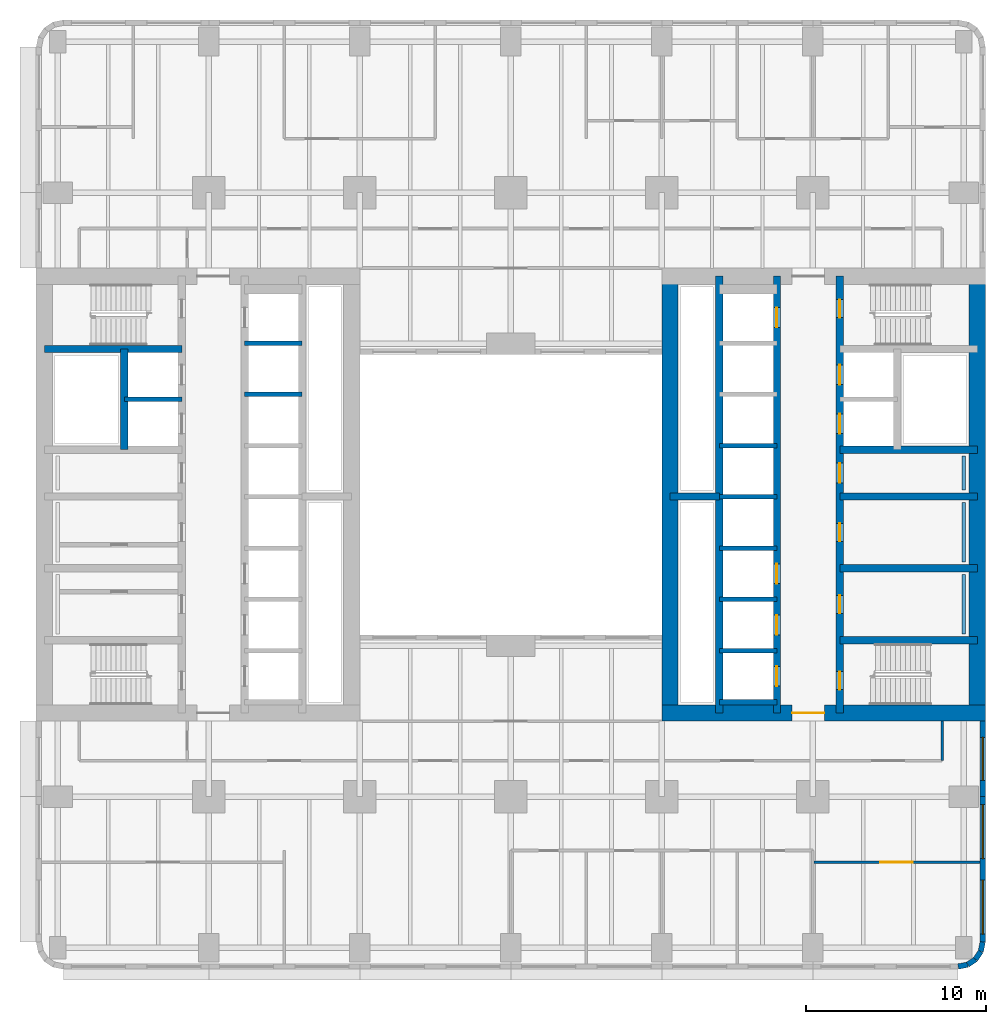
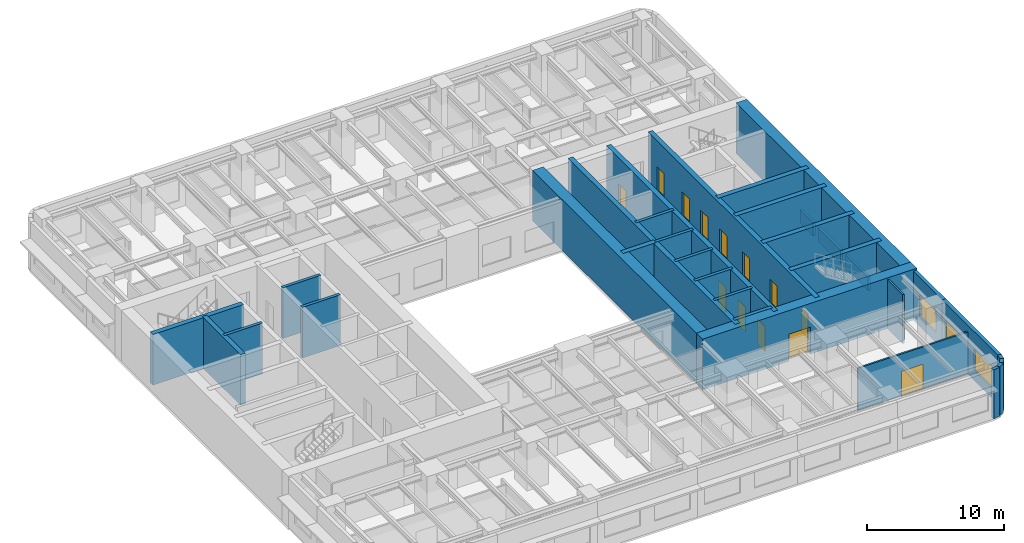
# One storey, part 5 of 14: 33 walls, 13 doors, 3 windows, 16 openings.
"""IFC4 building model written with IfcOpenShell, lengths in metres."""

from ifc_helpers import new_model, si_unit, direction, frame, frame_2d, origin, place, context, subcontext, project, spatial, rectangle, extrude, material, layer, layer_set, type_object, element, fill, save


model = new_model("IFC4")

# Units and contexts
model_context = context("Model", 3, precision=1e-05, world=origin(), true_north=direction((0.0, 1.0)))
body_context = subcontext(model_context, "Body", "Model", "MODEL_VIEW")
ifc_project = project(units=[si_unit("LENGTHUNIT", "METRE"), si_unit("AREAUNIT", "SQUARE_METRE"), si_unit("VOLUMEUNIT", "CUBIC_METRE"), si_unit("PLANEANGLEUNIT", "RADIAN"), si_unit("MASSUNIT", "GRAM", prefix="KILO")], contexts=[model_context])

# Site, building, storey
site_placement = place(None, origin())
site = spatial("IfcSite", under=ifc_project, at=site_placement, CompositionType="ELEMENT")
building_placement = place(site_placement, origin())
building = spatial("IfcBuilding", under=site, at=building_placement, Name="Claustro Exchange Tower", CompositionType="ELEMENT")
storey_placement = place(building_placement, frame((0.0, 0.0, 32.39990234375)))
storey = spatial("IfcBuildingStorey", under=building, at=storey_placement, Name="L07", CompositionType="ELEMENT", Elevation=32.39990234375)

# Wall, opening, door
ifc_material_1 = material(Name="Gypsum board on steel studs", Category="steel")
ifc_layer_1 = layer(ifc_material_1, 0.14990234375)
ifc_layer_set_1 = layer_set([ifc_layer_1], Name="Gypsum board on steel studs")
wall_type_1 = type_object("IfcWallType", Name="P1 150 plasterboard partition", PredefinedType="PARTITIONING", material=ifc_layer_set_1)
wall_1_placement = place(storey_placement, frame((42.073974609375, 4.75, 0.0), z_axis=(0.0, 0.0, 1.0), x_axis=(1.0, 0.0, 0.0)))
wall_1 = element("IfcWall", 1, at=wall_1_placement, inside=storey, type_object=wall_type_1, Name="Partition P1 L07", PredefinedType="PARTITIONING", context=body_context, shape_type="SweptSolid", body=[
    extrude(rectangle(XDim=9.22802734375, YDim=0.14990234375, at=frame_2d((4.614013671875, 0.0))), origin(), (0.0, 0.0, 1.0), 3.739990234375),
])
opening_1_placement = place(wall_1_placement, frame((3.676025390625, 0.0, 0.0)))
opening_1 = element("IfcOpeningElement", 2, at=opening_1_placement, cuts=wall_1, Name="Opening D2", PredefinedType="OPENING", context=body_context, shape_type="SweptSolid", body=[
    extrude(rectangle(XDim=1.800048828125, YDim=2.199951171875, at=frame_2d((0.89990234375, 1.10009765625))), frame((0.0, 0.0849609375, 0.0), z_axis=(0.0, -1.0, 0.0), x_axis=(1.0, 0.0, 0.0)), (0.0, 0.0, 1.0), 0.169921875),
])
ifc_material_2 = material(Name="Timber door, oak veneer", Category="wood")
door_type_1 = type_object("IfcDoorType", Name="D2 1800 x 2200 double door", OperationType="DOUBLE_DOOR_SINGLE_SWING", PredefinedType="DOOR", material=ifc_material_2)
door_1_placement = place(opening_1_placement, frame((1.800048828125, 0.0, 0.0), z_axis=(0.0, 0.0, 1.0), x_axis=(-1.0, 0.0, 0.0)))
door_1 = element("IfcDoor", 3, at=door_1_placement, inside=storey, type_object=door_type_1, Name="Double door D2 L07", OperationType="DOUBLE_DOOR_SINGLE_SWING", OverallHeight=2.199951171875, OverallWidth=1.800048828125, PredefinedType="DOOR", context=body_context, shape_type="SweptSolid", body=[
    extrude(rectangle(XDim=1.800048828125, YDim=2.199951171875, at=frame_2d((0.89990234375, 1.10009765625))), frame((0.0, 0.02490234375, 0.0), z_axis=(0.0, -1.0, 0.0), x_axis=(1.0, 0.0, 0.0)), (0.0, 0.0, 1.0), 0.050048828125),
])
fill(opening_1, door_1)

# Wall
wall_2_placement = place(storey_placement, frame((49.199951171875, 10.39990234375, 0.0), z_axis=(0.0, 0.0, 1.0), x_axis=(0.0, 1.0, 0.0)))
element("IfcWall", 4, at=wall_2_placement, inside=storey, type_object=wall_type_1, Name="Partition P1 L07", PredefinedType="PARTITIONING", context=body_context, shape_type="SweptSolid", body=[
    extrude(rectangle(XDim=2.2021484375, YDim=0.14990234375, at=frame_2d((1.10107421875, 0.0))), origin(), (0.0, 0.0, 1.0), 4.340087890625),
])

# Wall, opening, window
ifc_material_3 = material(Name="Concrete HA-40 (C40/50), precast, white cement, acid-etched", Category="concrete")
ifc_layer_2 = layer(ifc_material_3, 0.300048828125)
ifc_layer_set_2 = layer_set([ifc_layer_2], Name="Concrete HA-40 (C40/50), precast, white cement, acid-etched")
wall_type_2 = type_object("IfcWallType", Name="PC1 300 precast concrete pier panel", PredefinedType="SOLIDWALL", material=ifc_layer_set_2)
wall_3_placement = place(storey_placement, frame((51.449951171875, 12.60009765625, 0.0), z_axis=(0.0, 0.0, 1.0), x_axis=(0.0, -1.0, 0.0)))
wall_3 = element("IfcWall", 5, at=wall_3_placement, inside=storey, type_object=wall_type_2, Name="Precast pier panel PC1 L07", PredefinedType="SOLIDWALL", context=body_context, shape_type="SweptSolid", body=[
    extrude(rectangle(XDim=4.2001953125, YDim=0.300048828125, at=frame_2d((2.10009765625, 0.0))), origin(), (0.0, 0.0, 1.0), 4.340087890625),
])
opening_2_placement = place(wall_3_placement, frame((0.89990234375, 0.0, 0.89990234375)))
opening_2 = element("IfcOpeningElement", 6, at=opening_2_placement, cuts=wall_3, Name="Opening W2", PredefinedType="OPENING", context=body_context, shape_type="SweptSolid", body=[
    extrude(rectangle(XDim=2.39990234375, YDim=1.89990234375, at=frame_2d((1.199951171875, 0.949951171875))), frame((0.0, 0.159912109375, 0.0), z_axis=(0.0, -1.0, 0.0), x_axis=(1.0, 0.0, 0.0)), (0.0, 0.0, 1.0), 0.320068359375),
])
ifc_material_4 = material(Name="Aluminium frame, clear double glazing", Category="aluminium")
window_type_1 = type_object("IfcWindowType", Name="W2 2400 x 1900 window", PartitioningType="SINGLE_PANEL", PredefinedType="WINDOW", material=ifc_material_4)
window_1_placement = place(opening_2_placement, origin())
window_1 = element("IfcWindow", 7, at=window_1_placement, inside=storey, type_object=window_type_1, Name="Window W2 L07", OverallHeight=1.89990234375, OverallWidth=2.39990234375, PartitioningType="SINGLE_PANEL", PredefinedType="WINDOW", context=body_context, shape_type="SweptSolid", body=[
    extrude(rectangle(XDim=2.39990234375, YDim=1.89990234375, at=frame_2d((1.199951171875, 0.949951171875))), frame((0.0, 0.030029296875, 0.0), z_axis=(0.0, -1.0, 0.0), x_axis=(1.0, 0.0, 0.0)), (0.0, 0.0, 1.0), 0.06005859375),
])
fill(opening_2, window_1)

# Wall, openings, windows
wall_4_placement = place(storey_placement, frame((51.449951171875, 8.39990234375, 0.0), z_axis=(0.0, 0.0, 1.0), x_axis=(0.0, -1.0, 0.0)))
wall_4 = element("IfcWall", 8, at=wall_4_placement, inside=storey, type_object=wall_type_2, Name="Precast pier panel PC1 L07", PredefinedType="SOLIDWALL", context=body_context, shape_type="SweptSolid", body=[
    extrude(rectangle(XDim=8.085205078125, YDim=0.300048828125, at=frame_2d((4.04248046875, 0.0))), origin(), (0.0, 0.0, 1.0), 4.340087890625),
])
opening_3_placement = place(wall_4_placement, frame((0.442626953125, 0.0, 0.89990234375)))
opening_3 = element("IfcOpeningElement", 9, at=opening_3_placement, cuts=wall_4, Name="Opening W1", PredefinedType="OPENING", context=body_context, shape_type="SweptSolid", body=[
    extrude(rectangle(XDim=3.0, YDim=1.89990234375, at=frame_2d((1.5, 0.949951171875))), frame((0.0, 0.159912109375, 0.0), z_axis=(0.0, -1.0, 0.0), x_axis=(1.0, 0.0, 0.0)), (0.0, 0.0, 1.0), 0.320068359375),
])
opening_4_placement = place(wall_4_placement, frame((4.642578125, 0.0, 0.89990234375)))
opening_4 = element("IfcOpeningElement", 10, at=opening_4_placement, cuts=wall_4, Name="Opening W1", PredefinedType="OPENING", context=body_context, shape_type="SweptSolid", body=[
    extrude(rectangle(XDim=3.0, YDim=1.89990234375, at=frame_2d((1.5, 0.949951171875))), frame((0.0, 0.159912109375, 0.0), z_axis=(0.0, -1.0, 0.0), x_axis=(1.0, 0.0, 0.0)), (0.0, 0.0, 1.0), 0.320068359375),
])
ifc_material_5 = material(Name="Aluminium frame, clear double glazing", Category="aluminium")
window_type_2 = type_object("IfcWindowType", Name="W1 3000 x 1900 window", PartitioningType="SINGLE_PANEL", PredefinedType="WINDOW", material=ifc_material_5)
window_2_placement = place(opening_3_placement, origin())
window_2 = element("IfcWindow", 11, at=window_2_placement, inside=storey, type_object=window_type_2, Name="Window W1 L07", OverallHeight=1.89990234375, OverallWidth=3.0, PartitioningType="SINGLE_PANEL", PredefinedType="WINDOW", context=body_context, shape_type="SweptSolid", body=[
    extrude(rectangle(XDim=3.0, YDim=1.89990234375, at=frame_2d((1.5, 0.949951171875))), frame((0.0, 0.030029296875, 0.0), z_axis=(0.0, -1.0, 0.0), x_axis=(1.0, 0.0, 0.0)), (0.0, 0.0, 1.0), 0.06005859375),
])
fill(opening_3, window_2)
window_3_placement = place(opening_4_placement, origin())
window_3 = element("IfcWindow", 12, at=window_3_placement, inside=storey, type_object=window_type_2, Name="Window W1 L07", OverallHeight=1.89990234375, OverallWidth=3.0, PartitioningType="SINGLE_PANEL", PredefinedType="WINDOW", context=body_context, shape_type="SweptSolid", body=[
    extrude(rectangle(XDim=3.0, YDim=1.89990234375, at=frame_2d((1.5, 0.949951171875))), frame((0.0, 0.030029296875, 0.0), z_axis=(0.0, -1.0, 0.0), x_axis=(1.0, 0.0, 0.0)), (0.0, 0.0, 1.0), 0.06005859375),
])
fill(opening_4, window_3)

# Walls
wall_5_placement = place(storey_placement, frame((51.449951171875, 0.314697265625, 0.0), z_axis=(0.0, 0.0, 1.0), x_axis=(-0.195073962632, -0.980788534345, 0.0)))
element("IfcWall", 13, at=wall_5_placement, inside=storey, type_object=wall_type_2, Name="Precast pier panel PC1 L07", PredefinedType="SOLIDWALL", context=body_context, shape_type="SweptSolid", body=[
    extrude(rectangle(XDim=0.540771484375, YDim=0.300048828125, at=frame_2d((0.2705078125, 0.0))), origin(), (0.0, 0.0, 1.0), 4.340087890625),
])
for number, where, z_axis, x_axis, name in (
    (14, (51.344482421875, -0.215576171875, 0.0), (0.0, 0.0, 1.0), (-0.555557463938, -0.831478144188, 0.0), "Precast pier panel PC1 L07"),
    (15, (51.052490234375, -0.652587890625, 0.0), (0.0, 0.0, 1.0), (-0.831478144188, -0.555557463938, 0.0), "Precast pier panel PC1 L07"),
):
    element("IfcWall", number, at=place(storey_placement, frame(where, z_axis=z_axis, x_axis=x_axis)), inside=storey, type_object=wall_type_2, Name=name, PredefinedType="SOLIDWALL", context=body_context, shape_type="SweptSolid", body=[
        extrude(rectangle(XDim=0.525634765625, YDim=0.300048828125, at=frame_2d((0.2626953125, 0.0))), origin(), (0.0, 0.0, 1.0), 4.340087890625),
    ])
wall_6_placement = place(storey_placement, frame((50.615478515625, -0.944580078125, 0.0), z_axis=(0.0, 0.0, 1.0), x_axis=(-0.980788534345, -0.195073962632, 0.0)))
element("IfcWall", 16, at=wall_6_placement, inside=storey, type_object=wall_type_2, Name="Precast pier panel PC1 L07", PredefinedType="SOLIDWALL", context=body_context, shape_type="SweptSolid", body=[
    extrude(rectangle(XDim=0.540771484375, YDim=0.300048828125, at=frame_2d((0.2705078125, 0.0))), origin(), (0.0, 0.0, 1.0), 4.340087890625),
])
ifc_material_6 = material(Name="Gypsum board on steel studs, tiled", Category="steel")
ifc_layer_3 = layer(ifc_material_6, 0.199951171875)
ifc_layer_set_3 = layer_set([ifc_layer_3], Name="Gypsum board on steel studs, tiled")
wall_type_3 = type_object("IfcWallType", Name="PW1 200 WC duct wall", PredefinedType="PLUMBINGWALL", material=ifc_layer_set_3)
for number, where, z_axis, x_axis, name in (
    (17, (50.39990234375, 17.449951171875, 0.0), (0.0, 0.0, 1.0), (0.0, 1.0, 0.0), "WC duct wall PW1 L07"),
    (18, (50.39990234375, 21.449951171875, 0.0), (0.0, 0.0, 1.0), (0.0, 1.0, 0.0), "WC duct wall PW1 L07"),
):
    element("IfcWall", number, at=place(storey_placement, frame(where, z_axis=z_axis, x_axis=x_axis)), inside=storey, type_object=wall_type_3, Name=name, PredefinedType="PLUMBINGWALL", context=body_context, shape_type="SweptSolid", body=[
        extrude(rectangle(XDim=3.300048828125, YDim=0.199951171875, at=frame_2d((1.64990234375, 0.0))), origin(), (0.0, 0.0, 1.0), 1.2001953125),
    ])
wall_7_placement = place(storey_placement, frame((50.39990234375, 25.449951171875, 0.0), z_axis=(0.0, 0.0, 1.0), x_axis=(0.0, 1.0, 0.0)))
element("IfcWall", 19, at=wall_7_placement, inside=storey, type_object=wall_type_3, Name="WC duct wall PW1 L07", PredefinedType="PLUMBINGWALL", context=body_context, shape_type="SweptSolid", body=[
    extrude(rectangle(XDim=1.900146484375, YDim=0.199951171875, at=frame_2d((0.9501953125, 0.0))), origin(), (0.0, 0.0, 1.0), 1.2001953125),
])

# Wall, opening, door
ifc_material_7 = material(Name="Concrete HA-70 (C70/85)", Category="concrete")
ifc_layer_4 = layer(ifc_material_7, 0.89990234375)
ifc_layer_set_4 = layer_set([ifc_layer_4], Name="Concrete HA-70 (C70/85)")
wall_type_4 = type_object("IfcWallType", Name="SW1 900 core shear wall", PredefinedType="SHEAR", material=ifc_layer_set_4)
wall_8_placement = place(storey_placement, frame((33.60009765625, 13.050048828125, 0.0), z_axis=(0.0, 0.0, 1.0), x_axis=(1.0, 0.0, 0.0)))
wall_8 = element("IfcWall", 20, at=wall_8_placement, inside=storey, type_object=wall_type_4, Name="Core wall SW1 E core S face L07", PredefinedType="SHEAR", context=body_context, shape_type="SweptSolid", body=[
    extrude(rectangle(XDim=18.0, YDim=0.89990234375, at=frame_2d((9.0, 0.0))), origin(), (0.0, 0.0, 1.0), 4.5),
])
opening_5_placement = place(wall_8_placement, frame((7.25, 0.0, 0.0)))
opening_5 = element("IfcOpeningElement", 21, at=opening_5_placement, cuts=wall_8, Name="Opening D3", PredefinedType="OPENING", context=body_context, shape_type="SweptSolid", body=[
    extrude(rectangle(XDim=1.800048828125, YDim=2.39990234375, at=frame_2d((0.89990234375, 1.199951171875))), frame((0.0, 0.4599609375, 0.0), z_axis=(0.0, -1.0, 0.0), x_axis=(1.0, 0.0, 0.0)), (0.0, 0.0, 1.0), 0.919921875),
])
ifc_material_8 = material(Name="Steel fire door, painted", Category="steel")
door_type_2 = type_object("IfcDoorType", Name="D3 1800 x 2400 fire-rated lobby double door", OperationType="DOUBLE_DOOR_SINGLE_SWING", PredefinedType="DOOR", material=ifc_material_8)
door_2_placement = place(opening_5_placement, origin())
door_2 = element("IfcDoor", 22, at=door_2_placement, inside=storey, type_object=door_type_2, Name="Lift lobby door D3 L07", OperationType="DOUBLE_DOOR_SINGLE_SWING", OverallHeight=2.39990234375, OverallWidth=1.800048828125, PredefinedType="DOOR", context=body_context, shape_type="SweptSolid", body=[
    extrude(rectangle(XDim=1.800048828125, YDim=2.39990234375, at=frame_2d((0.89990234375, 1.199951171875))), frame((0.0, 0.02490234375, 0.0), z_axis=(0.0, -1.0, 0.0), x_axis=(1.0, 0.0, 0.0)), (0.0, 0.0, 1.0), 0.050048828125),
])
fill(opening_5, door_2)

# Walls
ifc_material_9 = material(Name="Concrete HA-70 (C70/85)", Category="concrete")
ifc_layer_5 = layer(ifc_material_9, 0.89990234375)
ifc_layer_set_5 = layer_set([ifc_layer_5], Name="Concrete HA-70 (C70/85)")
wall_type_5 = type_object("IfcWallType", Name="SW1X 900 exposed core shear wall, board-marked face", PredefinedType="SHEAR", material=ifc_layer_set_5)
for number, where, z_axis, x_axis, name in (
    (23, (34.050048828125, 13.050048828125, 0.0), (0.0, 0.0, 1.0), (0.0, 1.0, 0.0), "Core wall SW1X E core W face L07"),
    (24, (51.14990234375, 13.050048828125, 0.0), (0.0, 0.0, 1.0), (0.0, 1.0, 0.0), "Core wall SW1X E core E face L07"),
):
    element("IfcWall", number, at=place(storey_placement, frame(where, z_axis=z_axis, x_axis=x_axis)), inside=storey, type_object=wall_type_5, Name=name, PredefinedType="SHEAR", context=body_context, shape_type="SweptSolid", body=[
        extrude(rectangle(XDim=24.300048828125, YDim=0.89990234375, at=frame_2d((12.14990234375, 0.0))), origin(), (0.0, 0.0, 1.0), 4.5),
    ])
ifc_material_10 = material(Name="Concrete HA-50 (C50/60)", Category="concrete")
ifc_layer_6 = layer(ifc_material_10, 0.39990234375)
ifc_layer_set_6 = layer_set([ifc_layer_6], Name="Concrete HA-50 (C50/60)")
wall_type_6 = type_object("IfcWallType", Name="SW4 400 internal core wall", PredefinedType="SHEAR", material=ifc_layer_set_6)
wall_9_placement = place(storey_placement, frame((-0.75, 33.300048828125, 0.0), z_axis=(0.0, 0.0, 1.0), x_axis=(1.0, 0.0, 0.0)))
element("IfcWall", 25, at=wall_9_placement, inside=storey, type_object=wall_type_6, Name="Internal core wall SW4 W core L07", PredefinedType="SHEAR", context=body_context, shape_type="SweptSolid", body=[
    extrude(rectangle(XDim=7.64990234375, YDim=0.39990234375, at=frame_2d((3.824951171875, 0.0))), origin(), (0.0, 0.0, 1.0), 4.5),
])
wall_10_placement = place(storey_placement, frame((3.699951171875, 27.699951171875, 0.0), z_axis=(0.0, 0.0, 1.0), x_axis=(0.0, 1.0, 0.0)))
element("IfcWall", 26, at=wall_10_placement, inside=storey, type_object=wall_type_6, Name="Internal core wall SW4 W core L07", PredefinedType="SHEAR", context=body_context, shape_type="SweptSolid", body=[
    extrude(rectangle(XDim=5.60009765625, YDim=0.39990234375, at=frame_2d((2.800048828125, 0.0))), origin(), (0.0, 0.0, 1.0), 4.5),
])

# Wall, openings, doors
wall_11_placement = place(storey_placement, frame((43.5, 13.050048828125, 0.0), z_axis=(0.0, 0.0, 1.0), x_axis=(0.0, 1.0, 0.0)))
wall_11 = element("IfcWall", 27, at=wall_11_placement, inside=storey, type_object=wall_type_6, Name="Internal core wall SW4 E core L07", PredefinedType="SHEAR", context=body_context, shape_type="SweptSolid", body=[
    extrude(rectangle(XDim=24.300048828125, YDim=0.39990234375, at=frame_2d((12.14990234375, 0.0))), origin(), (0.0, 0.0, 1.0), 4.5),
])
opening_6_placement = place(wall_11_placement, frame((1.300048828125, 0.0, 0.0)))
opening_6 = element("IfcOpeningElement", 28, at=opening_6_placement, cuts=wall_11, Name="Opening D4", PredefinedType="OPENING", context=body_context, shape_type="SweptSolid", body=[
    extrude(rectangle(XDim=1.0, YDim=2.199951171875, at=frame_2d((0.5, 1.10009765625))), frame((0.0, 0.2099609375, 0.0), z_axis=(0.0, -1.0, 0.0), x_axis=(1.0, 0.0, 0.0)), (0.0, 0.0, 1.0), 0.419921875),
])
opening_7_placement = place(wall_11_placement, frame((22.0, 0.0, 0.0)))
opening_7 = element("IfcOpeningElement", 29, at=opening_7_placement, cuts=wall_11, Name="Opening D4", PredefinedType="OPENING", context=body_context, shape_type="SweptSolid", body=[
    extrude(rectangle(XDim=1.0, YDim=2.199951171875, at=frame_2d((0.5, 1.10009765625))), frame((0.0, 0.2099609375, 0.0), z_axis=(0.0, -1.0, 0.0), x_axis=(1.0, 0.0, 0.0)), (0.0, 0.0, 1.0), 0.419921875),
])
opening_8_placement = place(wall_11_placement, frame((5.550048828125, 0.0, 0.0)))
opening_8 = element("IfcOpeningElement", 30, at=opening_8_placement, cuts=wall_11, Name="Opening D1", PredefinedType="OPENING", context=body_context, shape_type="SweptSolid", body=[
    extrude(rectangle(XDim=1.0, YDim=2.199951171875, at=frame_2d((0.5, 1.10009765625))), frame((0.0, 0.2099609375, 0.0), z_axis=(0.0, -1.0, 0.0), x_axis=(1.0, 0.0, 0.0)), (0.0, 0.0, 1.0), 0.419921875),
])
opening_9_placement = place(wall_11_placement, frame((9.550048828125, 0.0, 0.0)))
opening_9 = element("IfcOpeningElement", 31, at=opening_9_placement, cuts=wall_11, Name="Opening D1", PredefinedType="OPENING", context=body_context, shape_type="SweptSolid", body=[
    extrude(rectangle(XDim=1.0, YDim=2.199951171875, at=frame_2d((0.5, 1.10009765625))), frame((0.0, 0.2099609375, 0.0), z_axis=(0.0, -1.0, 0.0), x_axis=(1.0, 0.0, 0.0)), (0.0, 0.0, 1.0), 0.419921875),
])
opening_10_placement = place(wall_11_placement, frame((12.800048828125, 0.0, 0.0)))
opening_10 = element("IfcOpeningElement", 32, at=opening_10_placement, cuts=wall_11, Name="Opening D10", PredefinedType="OPENING", context=body_context, shape_type="SweptSolid", body=[
    extrude(rectangle(XDim=1.10009765625, YDim=2.199951171875, at=frame_2d((0.550048828125, 1.10009765625))), frame((0.0, 0.2099609375, 0.0), z_axis=(0.0, -1.0, 0.0), x_axis=(1.0, 0.0, 0.0)), (0.0, 0.0, 1.0), 0.419921875),
])
opening_11_placement = place(wall_11_placement, frame((15.53759765625, 0.0, 0.0)))
opening_11 = element("IfcOpeningElement", 33, at=opening_11_placement, cuts=wall_11, Name="Opening LD", PredefinedType="OPENING", context=body_context, shape_type="SweptSolid", body=[
    extrude(rectangle(XDim=1.10009765625, YDim=2.199951171875, at=frame_2d((0.550048828125, 1.10009765625))), frame((0.0, 0.2099609375, 0.0), z_axis=(0.0, -1.0, 0.0), x_axis=(1.0, 0.0, 0.0)), (0.0, 0.0, 1.0), 0.419921875),
])
opening_12_placement = place(wall_11_placement, frame((18.262451171875, 0.0, 0.0)))
opening_12 = element("IfcOpeningElement", 34, at=opening_12_placement, cuts=wall_11, Name="Opening LD", PredefinedType="OPENING", context=body_context, shape_type="SweptSolid", body=[
    extrude(rectangle(XDim=1.10009765625, YDim=2.199951171875, at=frame_2d((0.550048828125, 1.10009765625))), frame((0.0, 0.2099609375, 0.0), z_axis=(0.0, -1.0, 0.0), x_axis=(1.0, 0.0, 0.0)), (0.0, 0.0, 1.0), 0.419921875),
])
ifc_material_11 = material(Name="Timber door, oak veneer", Category="wood")
door_type_3 = type_object("IfcDoorType", Name="D1 1000 x 2200 single door", OperationType="SINGLE_SWING_LEFT", PredefinedType="DOOR", material=ifc_material_11)
door_3_placement = place(opening_8_placement, frame((1.0, 0.0, 0.0), z_axis=(0.0, 0.0, 1.0), x_axis=(-1.0, 0.0, 0.0)))
door_3 = element("IfcDoor", 35, at=door_3_placement, inside=storey, type_object=door_type_3, Name="Door D1 L07", OperationType="SINGLE_SWING_LEFT", OverallHeight=2.199951171875, OverallWidth=1.0, PredefinedType="DOOR", context=body_context, shape_type="SweptSolid", body=[
    extrude(rectangle(XDim=1.0, YDim=2.199951171875, at=frame_2d((0.5, 1.10009765625))), frame((0.0, 0.02490234375, 0.0), z_axis=(0.0, -1.0, 0.0), x_axis=(1.0, 0.0, 0.0)), (0.0, 0.0, 1.0), 0.050048828125),
])
fill(opening_8, door_3)
door_4_placement = place(opening_9_placement, frame((1.0, 0.0, 0.0), z_axis=(0.0, 0.0, 1.0), x_axis=(-1.0, 0.0, 0.0)))
door_4 = element("IfcDoor", 36, at=door_4_placement, inside=storey, type_object=door_type_3, Name="Door D1 L07", OperationType="SINGLE_SWING_LEFT", OverallHeight=2.199951171875, OverallWidth=1.0, PredefinedType="DOOR", context=body_context, shape_type="SweptSolid", body=[
    extrude(rectangle(XDim=1.0, YDim=2.199951171875, at=frame_2d((0.5, 1.10009765625))), frame((0.0, 0.02490234375, 0.0), z_axis=(0.0, -1.0, 0.0), x_axis=(1.0, 0.0, 0.0)), (0.0, 0.0, 1.0), 0.050048828125),
])
fill(opening_9, door_4)
ifc_material_12 = material(Name="Timber door, oak veneer", Category="wood")
door_type_4 = type_object("IfcDoorType", Name="D10 1100 x 2200 accessible WC door", OperationType="SINGLE_SWING_LEFT", PredefinedType="DOOR", material=ifc_material_12)
door_5_placement = place(opening_10_placement, origin())
door_5 = element("IfcDoor", 37, at=door_5_placement, inside=storey, type_object=door_type_4, Name="Accessible WC door D10 L07", OperationType="SINGLE_SWING_RIGHT", OverallHeight=2.199951171875, OverallWidth=1.10009765625, PredefinedType="DOOR", context=body_context, shape_type="SweptSolid", body=[
    extrude(rectangle(XDim=1.10009765625, YDim=2.199951171875, at=frame_2d((0.550048828125, 1.10009765625))), frame((0.0, 0.02490234375, 0.0), z_axis=(0.0, -1.0, 0.0), x_axis=(1.0, 0.0, 0.0)), (0.0, 0.0, 1.0), 0.050048828125),
])
fill(opening_10, door_5)
ifc_material_13 = material(Name="Steel fire door, painted", Category="steel")
door_type_5 = type_object("IfcDoorType", Name="D4 1000 x 2200 fire-rated stair door", OperationType="SINGLE_SWING_LEFT", PredefinedType="DOOR", material=ifc_material_13)
door_6_placement = place(opening_6_placement, frame((1.0, 0.0, 0.0), z_axis=(0.0, 0.0, 1.0), x_axis=(-1.0, 0.0, 0.0)))
door_6 = element("IfcDoor", 38, at=door_6_placement, inside=storey, type_object=door_type_5, Name="Stair door D4 L07", OperationType="SINGLE_SWING_RIGHT", OverallHeight=2.199951171875, OverallWidth=1.0, PredefinedType="DOOR", context=body_context, shape_type="SweptSolid", body=[
    extrude(rectangle(XDim=1.0, YDim=2.199951171875, at=frame_2d((0.5, 1.10009765625))), frame((0.0, 0.02490234375, 0.0), z_axis=(0.0, -1.0, 0.0), x_axis=(1.0, 0.0, 0.0)), (0.0, 0.0, 1.0), 0.050048828125),
])
fill(opening_6, door_6)
door_7_placement = place(opening_7_placement, frame((1.0, 0.0, 0.0), z_axis=(0.0, 0.0, 1.0), x_axis=(-1.0, 0.0, 0.0)))
door_7 = element("IfcDoor", 39, at=door_7_placement, inside=storey, type_object=door_type_5, Name="Stair door D4 L07", OperationType="SINGLE_SWING_LEFT", OverallHeight=2.199951171875, OverallWidth=1.0, PredefinedType="DOOR", context=body_context, shape_type="SweptSolid", body=[
    extrude(rectangle(XDim=1.0, YDim=2.199951171875, at=frame_2d((0.5, 1.10009765625))), frame((0.0, 0.02490234375, 0.0), z_axis=(0.0, -1.0, 0.0), x_axis=(1.0, 0.0, 0.0)), (0.0, 0.0, 1.0), 0.050048828125),
])
fill(opening_7, door_7)
ifc_material_14 = material(Name="Stainless steel sliding door", Category="steel")
door_type_6 = type_object("IfcDoorType", Name="LD 1100 x 2200 lift landing door", OperationType="DOUBLE_DOOR_SLIDING", PredefinedType="DOOR", material=ifc_material_14)
door_8_placement = place(opening_11_placement, origin())
door_8 = element("IfcDoor", 40, at=door_8_placement, inside=storey, type_object=door_type_6, Name="Lift landing door LEE1 LD L07", OperationType="DOUBLE_DOOR_SLIDING", OverallHeight=2.199951171875, OverallWidth=1.10009765625, PredefinedType="DOOR", context=body_context, shape_type="SweptSolid", body=[
    extrude(rectangle(XDim=1.10009765625, YDim=2.199951171875, at=frame_2d((0.550048828125, 1.10009765625))), frame((0.0, 0.02490234375, 0.0), z_axis=(0.0, -1.0, 0.0), x_axis=(1.0, 0.0, 0.0)), (0.0, 0.0, 1.0), 0.050048828125),
])
fill(opening_11, door_8)
door_9_placement = place(opening_12_placement, origin())
door_9 = element("IfcDoor", 41, at=door_9_placement, inside=storey, type_object=door_type_6, Name="Lift landing door LEE2 LD L07", OperationType="DOUBLE_DOOR_SLIDING", OverallHeight=2.199951171875, OverallWidth=1.10009765625, PredefinedType="DOOR", context=body_context, shape_type="SweptSolid", body=[
    extrude(rectangle(XDim=1.10009765625, YDim=2.199951171875, at=frame_2d((0.550048828125, 1.10009765625))), frame((0.0, 0.02490234375, 0.0), z_axis=(0.0, -1.0, 0.0), x_axis=(1.0, 0.0, 0.0)), (0.0, 0.0, 1.0), 0.050048828125),
])
fill(opening_12, door_9)

wall_12_placement = place(storey_placement, frame((40.0, 13.050048828125, 0.0), z_axis=(0.0, 0.0, 1.0), x_axis=(0.0, 1.0, 0.0)))
wall_12 = element("IfcWall", 42, at=wall_12_placement, inside=storey, type_object=wall_type_6, Name="Internal core wall SW4 E core L07", PredefinedType="SHEAR", context=body_context, shape_type="SweptSolid", body=[
    extrude(rectangle(XDim=24.300048828125, YDim=0.39990234375, at=frame_2d((12.14990234375, 0.0))), origin(), (0.0, 0.0, 1.0), 4.5),
])
opening_13_placement = place(wall_12_placement, frame((1.5, 0.0, 0.0)))
opening_13 = element("IfcOpeningElement", 43, at=opening_13_placement, cuts=wall_12, Name="Opening LD", PredefinedType="OPENING", context=body_context, shape_type="SweptSolid", body=[
    extrude(rectangle(XDim=1.10009765625, YDim=2.199951171875, at=frame_2d((0.550048828125, 1.10009765625))), frame((0.0, 0.2099609375, 0.0), z_axis=(0.0, -1.0, 0.0), x_axis=(1.0, 0.0, 0.0)), (0.0, 0.0, 1.0), 0.419921875),
])
opening_14_placement = place(wall_12_placement, frame((4.35009765625, 0.0, 0.0)))
opening_14 = element("IfcOpeningElement", 44, at=opening_14_placement, cuts=wall_12, Name="Opening LD", PredefinedType="OPENING", context=body_context, shape_type="SweptSolid", body=[
    extrude(rectangle(XDim=1.10009765625, YDim=2.199951171875, at=frame_2d((0.550048828125, 1.10009765625))), frame((0.0, 0.2099609375, 0.0), z_axis=(0.0, -1.0, 0.0), x_axis=(1.0, 0.0, 0.0)), (0.0, 0.0, 1.0), 0.419921875),
])
opening_15_placement = place(wall_12_placement, frame((7.199951171875, 0.0, 0.0)))
opening_15 = element("IfcOpeningElement", 45, at=opening_15_placement, cuts=wall_12, Name="Opening LD", PredefinedType="OPENING", context=body_context, shape_type="SweptSolid", body=[
    extrude(rectangle(XDim=1.10009765625, YDim=2.199951171875, at=frame_2d((0.550048828125, 1.10009765625))), frame((0.0, 0.2099609375, 0.0), z_axis=(0.0, -1.0, 0.0), x_axis=(1.0, 0.0, 0.0)), (0.0, 0.0, 1.0), 0.419921875),
])
opening_16_placement = place(wall_12_placement, frame((21.449951171875, 0.0, 0.0)))
opening_16 = element("IfcOpeningElement", 46, at=opening_16_placement, cuts=wall_12, Name="Opening LD", PredefinedType="OPENING", context=body_context, shape_type="SweptSolid", body=[
    extrude(rectangle(XDim=1.10009765625, YDim=2.199951171875, at=frame_2d((0.550048828125, 1.10009765625))), frame((0.0, 0.2099609375, 0.0), z_axis=(0.0, -1.0, 0.0), x_axis=(1.0, 0.0, 0.0)), (0.0, 0.0, 1.0), 0.419921875),
])
door_10_placement = place(opening_13_placement, origin())
door_10 = element("IfcDoor", 47, at=door_10_placement, inside=storey, type_object=door_type_6, Name="Lift landing door LLE1 LD L07", OperationType="DOUBLE_DOOR_SLIDING", OverallHeight=2.199951171875, OverallWidth=1.10009765625, PredefinedType="DOOR", context=body_context, shape_type="SweptSolid", body=[
    extrude(rectangle(XDim=1.10009765625, YDim=2.199951171875, at=frame_2d((0.550048828125, 1.10009765625))), frame((0.0, 0.02490234375, 0.0), z_axis=(0.0, -1.0, 0.0), x_axis=(1.0, 0.0, 0.0)), (0.0, 0.0, 1.0), 0.050048828125),
])
fill(opening_13, door_10)
door_11_placement = place(opening_14_placement, origin())
door_11 = element("IfcDoor", 48, at=door_11_placement, inside=storey, type_object=door_type_6, Name="Lift landing door LLE2 LD L07", OperationType="DOUBLE_DOOR_SLIDING", OverallHeight=2.199951171875, OverallWidth=1.10009765625, PredefinedType="DOOR", context=body_context, shape_type="SweptSolid", body=[
    extrude(rectangle(XDim=1.10009765625, YDim=2.199951171875, at=frame_2d((0.550048828125, 1.10009765625))), frame((0.0, 0.02490234375, 0.0), z_axis=(0.0, -1.0, 0.0), x_axis=(1.0, 0.0, 0.0)), (0.0, 0.0, 1.0), 0.050048828125),
])
fill(opening_14, door_11)
door_12_placement = place(opening_15_placement, origin())
door_12 = element("IfcDoor", 49, at=door_12_placement, inside=storey, type_object=door_type_6, Name="Lift landing door LLE3 LD L07", OperationType="DOUBLE_DOOR_SLIDING", OverallHeight=2.199951171875, OverallWidth=1.10009765625, PredefinedType="DOOR", context=body_context, shape_type="SweptSolid", body=[
    extrude(rectangle(XDim=1.10009765625, YDim=2.199951171875, at=frame_2d((0.550048828125, 1.10009765625))), frame((0.0, 0.02490234375, 0.0), z_axis=(0.0, -1.0, 0.0), x_axis=(1.0, 0.0, 0.0)), (0.0, 0.0, 1.0), 0.050048828125),
])
fill(opening_15, door_12)
door_13_placement = place(opening_16_placement, origin())
door_13 = element("IfcDoor", 50, at=door_13_placement, inside=storey, type_object=door_type_6, Name="Lift landing door LSE1 LD L07", OperationType="DOUBLE_DOOR_SLIDING", OverallHeight=2.199951171875, OverallWidth=1.10009765625, PredefinedType="DOOR", context=body_context, shape_type="SweptSolid", body=[
    extrude(rectangle(XDim=1.10009765625, YDim=2.199951171875, at=frame_2d((0.550048828125, 1.10009765625))), frame((0.0, 0.02490234375, 0.0), z_axis=(0.0, -1.0, 0.0), x_axis=(1.0, 0.0, 0.0)), (0.0, 0.0, 1.0), 0.050048828125),
])
fill(opening_16, door_13)

# Walls
wall_13_placement = place(storey_placement, frame((36.800048828125, 13.050048828125, 0.0), z_axis=(0.0, 0.0, 1.0), x_axis=(0.0, 1.0, 0.0)))
element("IfcWall", 51, at=wall_13_placement, inside=storey, type_object=wall_type_6, Name="Internal core wall SW4 E core L07", PredefinedType="SHEAR", context=body_context, shape_type="SweptSolid", body=[
    extrude(rectangle(XDim=24.300048828125, YDim=0.39990234375, at=frame_2d((12.14990234375, 0.0))), origin(), (0.0, 0.0, 1.0), 4.5),
])
for number, where, z_axis, x_axis, name in (
    (52, (51.14990234375, 17.10009765625, 0.0), (0.0, 0.0, 1.0), (-1.0, 0.0, 0.0), "Internal core wall SW4 E core L07"),
    (53, (51.14990234375, 21.10009765625, 0.0), (0.0, 0.0, 1.0), (-1.0, 0.0, 0.0), "Internal core wall SW4 E core L07"),
    (54, (51.14990234375, 25.10009765625, 0.0), (0.0, 0.0, 1.0), (-1.0, 0.0, 0.0), "Internal core wall SW4 E core L07"),
    (55, (51.14990234375, 27.699951171875, 0.0), (0.0, 0.0, 1.0), (-1.0, 0.0, 0.0), "Internal core wall SW4 E core L07"),
):
    element("IfcWall", number, at=place(storey_placement, frame(where, z_axis=z_axis, x_axis=x_axis)), inside=storey, type_object=wall_type_6, Name=name, PredefinedType="SHEAR", context=body_context, shape_type="SweptSolid", body=[
        extrude(rectangle(XDim=7.64990234375, YDim=0.39990234375, at=frame_2d((3.824951171875, 0.0))), origin(), (0.0, 0.0, 1.0), 4.5),
    ])
wall_14_placement = place(storey_placement, frame((36.800048828125, 25.10009765625, 0.0), z_axis=(0.0, 0.0, 1.0), x_axis=(-1.0, 0.0, 0.0)))
element("IfcWall", 56, at=wall_14_placement, inside=storey, type_object=wall_type_6, Name="Internal core wall SW4 E core L07", PredefinedType="SHEAR", context=body_context, shape_type="SweptSolid", body=[
    extrude(rectangle(XDim=2.75, YDim=0.39990234375, at=frame_2d((1.375, 0.0))), origin(), (0.0, 0.0, 1.0), 4.5),
])
ifc_material_15 = material(Name="Concrete HA-50 (C50/60)", Category="concrete")
ifc_layer_7 = layer(ifc_material_15, 0.25)
ifc_layer_set_7 = layer_set([ifc_layer_7], Name="Concrete HA-50 (C50/60)")
wall_type_7 = type_object("IfcWallType", Name="SW5 250 lift shaft divider wall", PredefinedType="SHEAR", material=ifc_layer_set_7)
wall_15_placement = place(storey_placement, frame((3.699951171875, 30.5, 0.0), z_axis=(0.0, 0.0, 1.0), x_axis=(1.0, 0.0, 0.0)))
element("IfcWall", 57, at=wall_15_placement, inside=storey, type_object=wall_type_7, Name="Lift shaft wall W core L07", PredefinedType="SHEAR", context=body_context, shape_type="SweptSolid", body=[
    extrude(rectangle(XDim=3.199951171875, YDim=0.25, at=frame_2d((1.60009765625, 0.0))), origin(), (0.0, 0.0, 1.0), 4.5),
])
for number, where, z_axis, x_axis, name in (
    (58, (10.39990234375, 30.77490234375, 0.0), (0.0, 0.0, 1.0), (1.0, 0.0, 0.0), "Lift shaft wall W core L07"),
    (59, (10.39990234375, 33.625, 0.0), (0.0, 0.0, 1.0), (1.0, 0.0, 0.0), "Lift shaft wall W core L07"),
):
    element("IfcWall", number, at=place(storey_placement, frame(where, z_axis=z_axis, x_axis=x_axis)), inside=storey, type_object=wall_type_7, Name=name, PredefinedType="SHEAR", context=body_context, shape_type="SweptSolid", body=[
        extrude(rectangle(XDim=3.2001953125, YDim=0.25, at=frame_2d((1.60009765625, 0.0))), origin(), (0.0, 0.0, 1.0), 4.5),
    ])
for number, where, z_axis, x_axis, name in (
    (60, (40.0, 16.52490234375, 0.0), (0.0, 0.0, 1.0), (-1.0, 0.0, 0.0), "Lift shaft wall E core L07"),
    (61, (40.0, 19.375, 0.0), (0.0, 0.0, 1.0), (-1.0, 0.0, 0.0), "Lift shaft wall E core L07"),
    (62, (40.0, 22.22509765625, 0.0), (0.0, 0.0, 1.0), (-1.0, 0.0, 0.0), "Lift shaft wall E core L07"),
    (63, (40.0, 25.074951171875, 0.0), (0.0, 0.0, 1.0), (-1.0, 0.0, 0.0), "Lift shaft wall E core L07"),
    (64, (40.0, 27.925048828125, 0.0), (0.0, 0.0, 1.0), (-1.0, 0.0, 0.0), "Lift shaft wall E core L07"),
):
    element("IfcWall", number, at=place(storey_placement, frame(where, z_axis=z_axis, x_axis=x_axis)), inside=storey, type_object=wall_type_7, Name=name, PredefinedType="SHEAR", context=body_context, shape_type="SweptSolid", body=[
        extrude(rectangle(XDim=3.199951171875, YDim=0.25, at=frame_2d((1.60009765625, 0.0))), origin(), (0.0, 0.0, 1.0), 4.5),
    ])
ifc_material_16 = material(Name="Concrete HA-50 (C50/60)", Category="concrete")
ifc_layer_8 = layer(ifc_material_16, 0.300048828125)
ifc_layer_set_8 = layer_set([ifc_layer_8], Name="Concrete HA-50 (C50/60)")
wall_type_8 = type_object("IfcWallType", Name="SW6A 300 lift shaft end wall", PredefinedType="SHEAR", material=ifc_layer_set_8)
wall_16_placement = place(storey_placement, frame((40.0, 13.64990234375, 0.0), z_axis=(0.0, 0.0, 1.0), x_axis=(-1.0, 0.0, 0.0)))
element("IfcWall", 65, at=wall_16_placement, inside=storey, type_object=wall_type_8, Name="Lift shaft wall E core L07", PredefinedType="SHEAR", context=body_context, shape_type="SweptSolid", body=[
    extrude(rectangle(XDim=3.199951171875, YDim=0.300048828125, at=frame_2d((1.60009765625, 0.0))), origin(), (0.0, 0.0, 1.0), 4.5),
])

save(model, "model.ifc")
